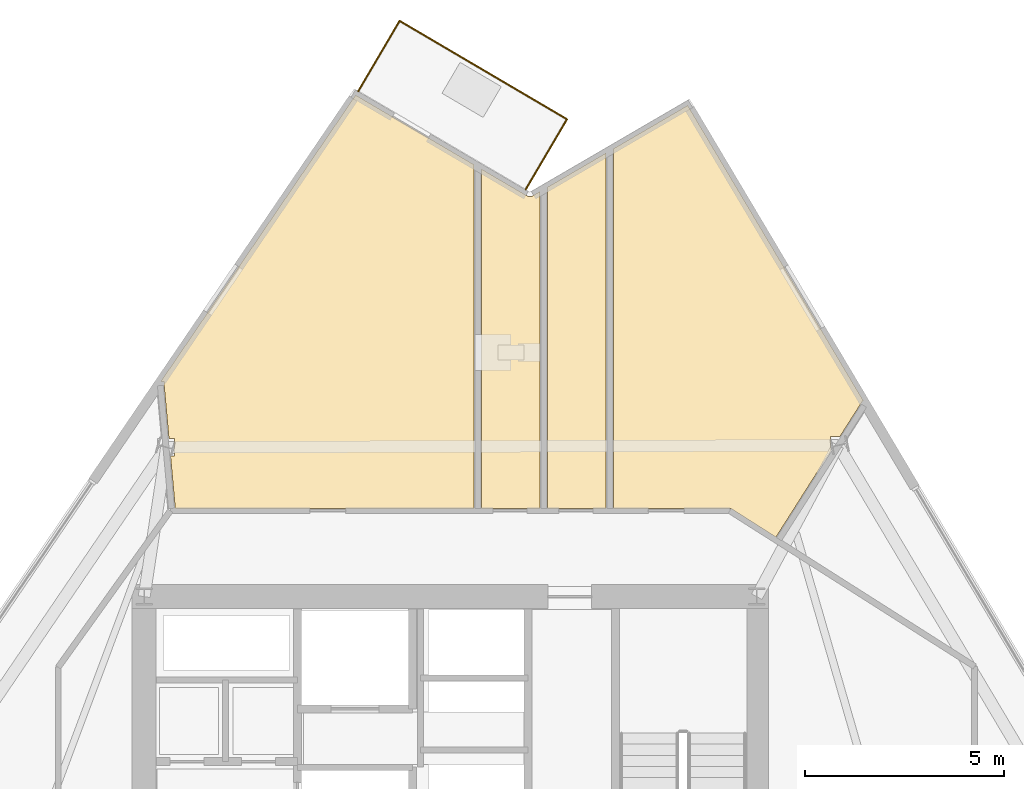
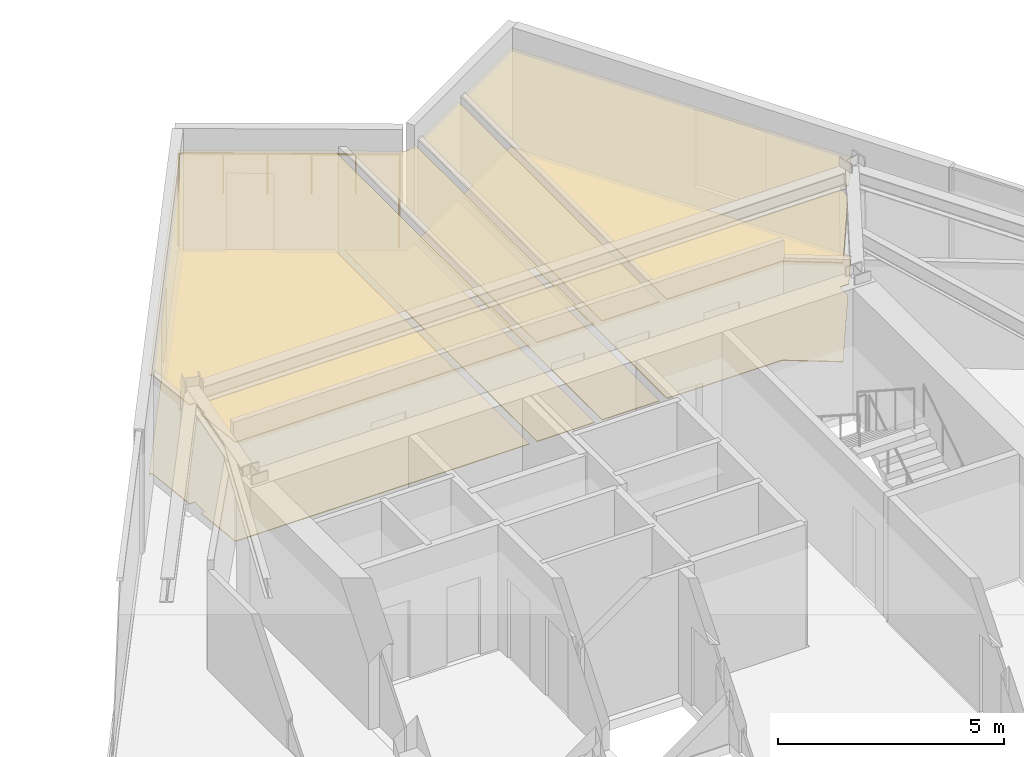
# One storey, part 14 of 15: 8 coverings, 3 railings.
"""IFC4 building model written with IfcOpenShell, lengths in metres."""

from ifc_helpers import new_model, si_unit, direction, frame, origin, origin_2d, place, context, subcontext, project, spatial, polyline, circle, outline, extrude, material, layer, layer_set, type_object, element, save


model = new_model("IFC4")

# Units and contexts
model_context = context("Model", 3, precision=1e-05, world=origin(), true_north=direction((0.0, 1.0)))
body_context = subcontext(model_context, "Body", "Model", "MODEL_VIEW")
ifc_project = project(units=[si_unit("LENGTHUNIT", "METRE"), si_unit("AREAUNIT", "SQUARE_METRE"), si_unit("VOLUMEUNIT", "CUBIC_METRE"), si_unit("PLANEANGLEUNIT", "RADIAN"), si_unit("MASSUNIT", "GRAM", prefix="KILO")], contexts=[model_context])

# Site, building, storey
site_placement = place(None, origin())
site = spatial("IfcSite", under=ifc_project, at=site_placement, CompositionType="ELEMENT")
building_placement = place(site_placement, origin())
building = spatial("IfcBuilding", under=site, at=building_placement, Name="Savorim Split Tower", CompositionType="ELEMENT")
storey_placement = place(building_placement, frame((0.0, 0.0, 122.10009765625)))
storey = spatial("IfcBuildingStorey", under=building, at=storey_placement, Name="L32", CompositionType="ELEMENT", Elevation=122.10009765625)

# Coverings
ifc_material_1 = material(Name="Mineral Fibre Acoustic Ceiling")
ifc_layer_1 = layer(ifc_material_1, 0.02490234375)
ifc_layer_set_1 = layer_set([ifc_layer_1], Name="COV-CEIL-25")
covering_type_1 = type_object("IfcCoveringType", Name="COV-CEIL-25", PredefinedType="CEILING", material=ifc_layer_set_1)
covering_1_placement = place(storey_placement, frame((0.0, 0.0, 2.669921875)))
element("IfcCovering", 1, at=covering_1_placement, inside=storey, type_object=covering_type_1, Name="L32 Maker Workshop Acoustic Ceiling", PredefinedType="CEILING", context=body_context, shape_type="SweptSolid", body=[
    extrude(outline(polyline([(10.3671875, 15.130615234375), (10.38232421875, 15.12109375), (5.96533203125, 22.54931640625), (4.1025390625, 21.46337890625), (4.1025390625, 12.419921875), (7.0, 12.419921875), (7.01318359375, 12.41943359375), (7.0263671875, 12.41748046875), (7.0390625, 12.414306640625), (7.051513671875, 12.41015625), (7.063720703125, 12.40478515625), (7.0751953125, 12.398193359375), (8.181396484375, 11.6943359375), (9.552490234375, 13.849853515625), (9.552490234375, 14.2255859375), (9.79150390625, 14.2255859375), (10.316162109375, 15.050537109375), (10.3671875, 15.130615234375)])), origin(), (0.0, 0.0, 1.0), 0.02490234375),
])
covering_2_placement = place(storey_placement, frame((0.0, 0.0, 2.669921875)))
element("IfcCovering", 2, at=covering_2_placement, inside=storey, type_object=covering_type_1, Name="L32 Quiet Study Room Acoustic Ceiling", PredefinedType="CEILING", context=body_context, shape_type="SweptSolid", body=[
    extrude(outline(polyline([(2.444580078125, 12.419921875), (3.91259765625, 12.419921875), (3.91259765625, 21.352783203125), (2.444580078125, 20.497314453125), (2.444580078125, 12.419921875)])), origin(), (0.0, 0.0, 1.0), 0.02490234375),
])
covering_3_placement = place(storey_placement, frame((0.0, 0.0, 2.669921875)))
element("IfcCovering", 3, at=covering_3_placement, inside=storey, type_object=covering_type_1, Name="L32 Shared Bathroom Acoustic Ceiling", PredefinedType="CEILING", context=body_context, shape_type="SweptSolid", body=[
    extrude(outline(polyline([(1.955322265625, 20.260986328125), (1.944580078125, 20.265380859375), (1.934326171875, 20.270751953125), (0.78662109375, 20.9453125), (0.78662109375, 12.419921875), (2.254638671875, 12.419921875), (2.254638671875, 20.386474609375), (2.0556640625, 20.2705078125), (2.04541015625, 20.26513671875), (2.03466796875, 20.260986328125), (2.023681640625, 20.257568359375), (2.01220703125, 20.25537109375), (2.000732421875, 20.25439453125), (1.9892578125, 20.25439453125), (1.977783203125, 20.255615234375), (1.96630859375, 20.2578125), (1.955322265625, 20.260986328125)])), origin(), (0.0, 0.0, 1.0), 0.02490234375),
])
covering_4_placement = place(storey_placement, frame((0.0, 0.0, 2.669921875)))
element("IfcCovering", 4, at=covering_4_placement, inside=storey, type_object=covering_type_1, Name="L32 Co-Working Commons Acoustic Ceiling", PredefinedType="CEILING", context=body_context, shape_type="SweptSolid", body=[
    extrude(outline(polyline([(-6.91796875, 12.419921875), (0.5966796875, 12.419921875), (0.5966796875, 21.056884765625), (-2.384765625, 22.80908203125), (-7.28759765625, 15.60205078125), (-7.2060546875, 15.609375), (-7.07666015625, 14.177001953125), (-6.939453125, 14.177001953125), (-6.939453125, 13.740966796875), (-7.037353515625, 13.740966796875), (-6.918701171875, 12.427734375), (-6.91796875, 12.419921875)])), origin(), (0.0, 0.0, 1.0), 0.02490234375),
])
ifc_material_2 = material(Name="Porcelain Stoneware Flooring", Category="masonry")
ifc_layer_2 = layer(ifc_material_2, 0.02001953125)
ifc_layer_set_2 = layer_set([ifc_layer_2], Name="COV-FLOR-20")
covering_type_2 = type_object("IfcCoveringType", Name="COV-FLOR-20", PredefinedType="FLOORING", material=ifc_layer_set_2)
covering_5_placement = place(storey_placement, origin())
element("IfcCovering", 5, at=covering_5_placement, inside=storey, type_object=covering_type_2, Name="L32 Maker Workshop Porcelain Flooring", PredefinedType="FLOORING", context=body_context, shape_type="SweptSolid", body=[
    extrude(outline(polyline([(10.3671875, 15.130615234375), (10.38232421875, 15.12109375), (5.96533203125, 22.54931640625), (4.1025390625, 21.46337890625), (4.1025390625, 12.419921875), (7.0, 12.419921875), (7.01318359375, 12.41943359375), (7.0263671875, 12.41748046875), (7.0390625, 12.414306640625), (7.051513671875, 12.41015625), (7.063720703125, 12.40478515625), (7.0751953125, 12.398193359375), (8.181396484375, 11.6943359375), (9.552490234375, 13.849853515625), (9.552490234375, 14.2255859375), (9.79150390625, 14.2255859375), (10.316162109375, 15.050537109375), (10.3671875, 15.130615234375)])), origin(), (0.0, 0.0, 1.0), 0.02001953125),
])
covering_6_placement = place(storey_placement, origin())
element("IfcCovering", 6, at=covering_6_placement, inside=storey, type_object=covering_type_2, Name="L32 Quiet Study Room Porcelain Flooring", PredefinedType="FLOORING", context=body_context, shape_type="SweptSolid", body=[
    extrude(outline(polyline([(2.444580078125, 12.419921875), (3.91259765625, 12.419921875), (3.91259765625, 21.352783203125), (2.444580078125, 20.497314453125), (2.444580078125, 12.419921875)])), origin(), (0.0, 0.0, 1.0), 0.02001953125),
])
covering_7_placement = place(storey_placement, origin())
element("IfcCovering", 7, at=covering_7_placement, inside=storey, type_object=covering_type_2, Name="L32 Shared Bathroom Porcelain Flooring", PredefinedType="FLOORING", context=body_context, shape_type="SweptSolid", body=[
    extrude(outline(polyline([(1.955322265625, 20.260986328125), (1.944580078125, 20.265380859375), (1.934326171875, 20.270751953125), (0.78662109375, 20.9453125), (0.78662109375, 12.419921875), (2.254638671875, 12.419921875), (2.254638671875, 20.386474609375), (2.0556640625, 20.2705078125), (2.04541015625, 20.26513671875), (2.03466796875, 20.260986328125), (2.023681640625, 20.257568359375), (2.01220703125, 20.25537109375), (2.000732421875, 20.25439453125), (1.9892578125, 20.25439453125), (1.977783203125, 20.255615234375), (1.96630859375, 20.2578125), (1.955322265625, 20.260986328125)])), origin(), (0.0, 0.0, 1.0), 0.02001953125),
])
covering_8_placement = place(storey_placement, origin())
element("IfcCovering", 8, at=covering_8_placement, inside=storey, type_object=covering_type_2, Name="L32 Co-Working Commons Porcelain Flooring", PredefinedType="FLOORING", context=body_context, shape_type="SweptSolid", body=[
    extrude(outline(polyline([(-6.91796875, 12.419921875), (0.5966796875, 12.419921875), (0.5966796875, 21.056884765625), (-2.384765625, 22.80908203125), (-7.28759765625, 15.60205078125), (-7.2060546875, 15.609375), (-7.07666015625, 14.177001953125), (-6.939453125, 14.177001953125), (-6.939453125, 13.740966796875), (-7.037353515625, 13.740966796875), (-6.918701171875, 12.427734375), (-6.91796875, 12.419921875)])), origin(), (0.0, 0.0, 1.0), 0.02001953125),
])

# Railings
ifc_material_3 = material(Name="Galvanised Painted Steel Balustrade", Category="steel")
railing_type = type_object("IfcRailingType", Name="RLG-BAL-1100", PredefinedType="BALUSTRADE", material=ifc_material_3)
railing_1_placement = place(storey_placement, frame((-2.317138671875, 22.90869140625, 0.0)))
element("IfcRailing", 9, at=railing_1_placement, inside=storey, type_object=railing_type, Name="L32 Tree Balcony Guardrail N-1", PredefinedType="BALUSTRADE", context=body_context, shape_type="SweptSolid", body=[
    extrude(circle(Radius=0.02392578125, at=origin_2d()), frame((0.0, 0.0, 1.076171875), z_axis=(0.50664533146, 0.862154573211, 0.0), x_axis=(-0.862154573211, 0.50664533146, 0.0)), (0.0, 0.0, 1.0), 2.0498046875),
    extrude(circle(Radius=0.02099609375, at=origin_2d()), origin(), (0.0, 0.0, 1.0), 1.052001953125),
    extrude(circle(Radius=0.02099609375, at=origin_2d()), frame((0.519287109375, 0.8837890625, 0.0)), (0.0, 0.0, 1.0), 1.052001953125),
    extrude(circle(Radius=0.02099609375, at=origin_2d()), frame((1.03857421875, 1.767333984375, 0.0)), (0.0, 0.0, 1.0), 1.052001953125),
])
railing_2_placement = place(storey_placement, frame((-1.278564453125, 24.676025390625, 0.0)))
element("IfcRailing", 10, at=railing_2_placement, inside=storey, type_object=railing_type, Name="L32 Tree Balcony Guardrail N-2", PredefinedType="BALUSTRADE", context=body_context, shape_type="SweptSolid", body=[
    extrude(circle(Radius=0.02392578125, at=origin_2d()), frame((0.0, 0.0, 1.076171875), z_axis=(0.862134693203, -0.506679159602, 0.0), x_axis=(0.506679159602, 0.862134693203, 0.0)), (0.0, 0.0, 1.0), 4.882080078125),
    extrude(circle(Radius=0.02099609375, at=origin_2d()), origin(), (0.0, 0.0, 1.0), 1.052001953125),
    extrude(circle(Radius=0.02099609375, at=origin_2d()), frame((0.841796875, -0.49462890625, 0.0)), (0.0, 0.0, 1.0), 1.052001953125),
    extrude(circle(Radius=0.02099609375, at=origin_2d()), frame((1.68359375, -0.989501953125, 0.0)), (0.0, 0.0, 1.0), 1.052001953125),
    extrude(circle(Radius=0.02099609375, at=origin_2d()), frame((2.525390625, -1.484130859375, 0.0)), (0.0, 0.0, 1.0), 1.052001953125),
    extrude(circle(Radius=0.02099609375, at=origin_2d()), frame((3.3671875, -1.97900390625, 0.0)), (0.0, 0.0, 1.0), 1.052001953125),
    extrude(circle(Radius=0.02099609375, at=origin_2d()), frame((4.208984375, -2.4736328125, 0.0)), (0.0, 0.0, 1.0), 1.052001953125),
])
railing_3_placement = place(storey_placement, frame((2.930419921875, 22.202392578125, 0.0)))
element("IfcRailing", 11, at=railing_3_placement, inside=storey, type_object=railing_type, Name="L32 Tree Balcony Guardrail N-3", PredefinedType="BALUSTRADE", context=body_context, shape_type="SweptSolid", body=[
    extrude(circle(Radius=0.02392578125, at=origin_2d()), frame((0.0, 0.0, 1.076171875), z_axis=(-0.506733850669, -0.862102548764, 0.0), x_axis=(0.862102548764, -0.506733850669, 0.0)), (0.0, 0.0, 1.0), 2.050048828125),
    extrude(circle(Radius=0.02099609375, at=origin_2d()), origin(), (0.0, 0.0, 1.0), 1.052001953125),
    extrude(circle(Radius=0.02099609375, at=origin_2d()), frame((-0.51953125, -0.8837890625, 0.0)), (0.0, 0.0, 1.0), 1.052001953125),
    extrude(circle(Radius=0.02099609375, at=origin_2d()), frame((-1.038818359375, -1.767333984375, 0.0)), (0.0, 0.0, 1.0), 1.052001953125),
])

save(model, "model.ifc")
